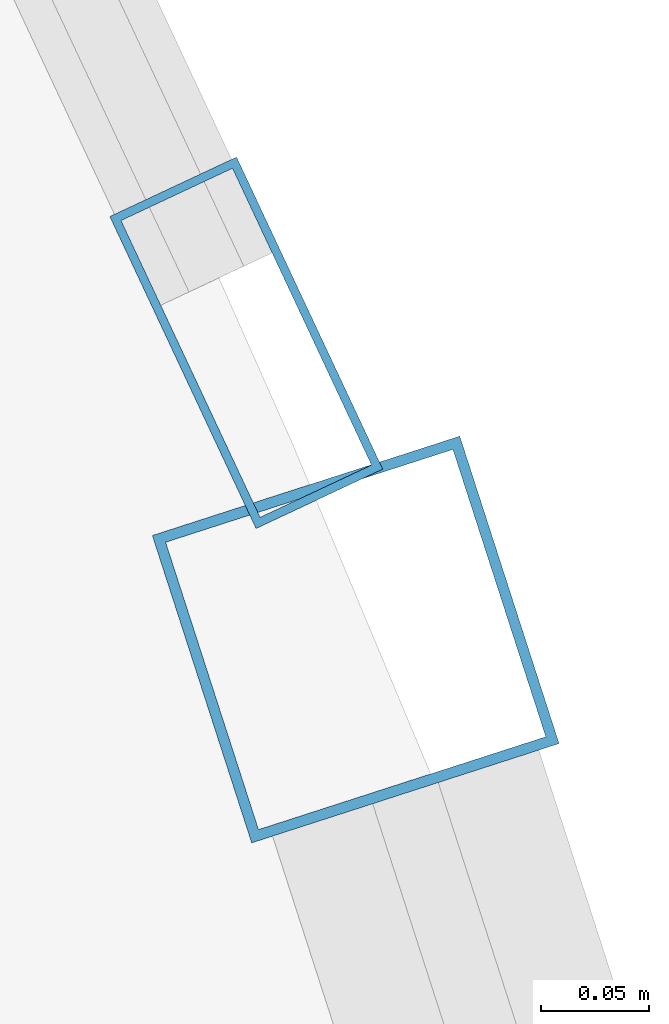
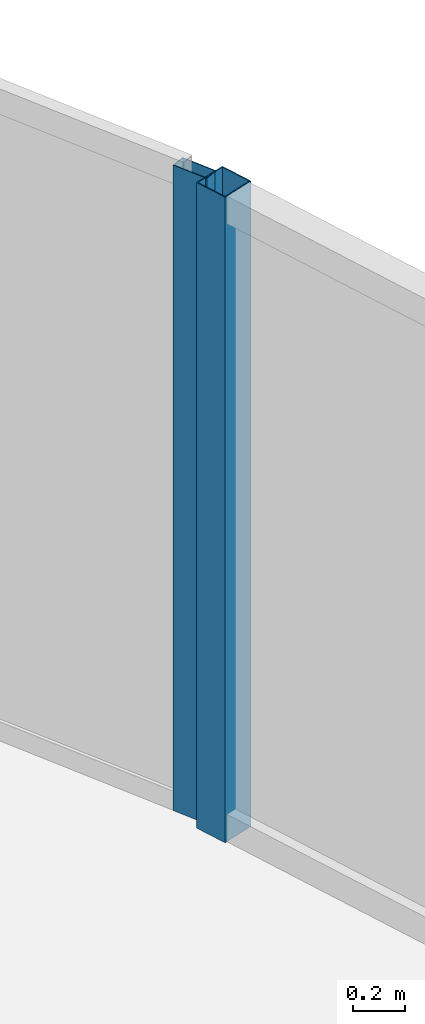
# One storey, part 18 of 33: 2 members, 2 elements without a shape of their own.
"""IFC4 building model written with IfcOpenShell, lengths in metres."""

from ifc_helpers import new_model, si_unit, direction, frame, origin, origin_2d, place, context, subcontext, project, spatial, hollow_rectangle, extrude, material, layer, layer_set, material_profile, profile_set, type_object, element, aggregate, save


model = new_model("IFC4")

# Units and contexts
model_context = context("Model", 3, precision=1e-05, world=origin(), true_north=direction((0.0, 1.0)))
body_context = subcontext(model_context, "Body", "Model", "MODEL_VIEW")
ifc_project = project(units=[si_unit("LENGTHUNIT", "METRE"), si_unit("AREAUNIT", "SQUARE_METRE"), si_unit("VOLUMEUNIT", "CUBIC_METRE"), si_unit("PLANEANGLEUNIT", "RADIAN"), si_unit("MASSUNIT", "GRAM", prefix="KILO")], contexts=[model_context])

# Site, building, storey
site_placement = place(None, origin())
site = spatial("IfcSite", under=ifc_project, at=site_placement, CompositionType="ELEMENT")
building_placement = place(site_placement, origin())
building = spatial("IfcBuilding", under=site, at=building_placement, Name="Orvanel Arch Residences", CompositionType="ELEMENT")
storey_placement = place(building_placement, frame((0.0, 0.0, 212.89990234375)))
storey = spatial("IfcBuildingStorey", under=building, at=storey_placement, Name="L60", CompositionType="ELEMENT", Elevation=212.89990234375)

# Curtain wall, member
ifc_material = material(Name="Bronze-anodised aluminium AA6063-T6", Category="aluminium")
ifc_layer_1 = layer(ifc_material, 0.18994140625)
ifc_layer_set_1 = layer_set([ifc_layer_1], Name="Bronze-anodised aluminium AA6063-T6")
curtain_wall_type_1 = type_object("IfcCurtainWallType", Name="CW5-CRN-SYS", PredefinedType="NOTDEFINED", material=ifc_layer_set_1)
curtain_wall_1_placement = place(storey_placement, origin())
curtain_wall_1 = element("IfcCurtainWall", 1, at=curtain_wall_1_placement, inside=storey, type_object=curtain_wall_type_1, Name="L60 CW5-CRN-SYS Unitised Curtain Wall", PredefinedType="NOTDEFINED")
ifc_material_profile_1 = material_profile(ifc_material, hollow_rectangle(XDim=0.14990234375, YDim=0.14990234375, WallThickness=0.0048828125, at=origin_2d()), Name="ALU150x150x5")
ifc_profile_set_1 = profile_set([ifc_material_profile_1], Name="Bronze-anodised aluminium AA6063-T6")
member_type_1 = type_object("IfcMemberType", Name="MUL-150x150", PredefinedType="MULLION", material=ifc_profile_set_1)
member_1_placement = place(storey_placement, frame((54.301025390625, 15.005615234375, 0.0), z_axis=(0.0, 0.0, 1.0), x_axis=(-0.951553342182, -0.307483718239, 0.0)))
member_1 = element("IfcMember", 2, at=member_1_placement, type_object=member_type_1, Name="CW-S5 mullion 2", PredefinedType="MULLION", context=body_context, shape_type="SweptSolid", body=[
    extrude(hollow_rectangle(XDim=0.14990234375, YDim=0.14990234375, WallThickness=0.0048828125, at=origin_2d()), origin(), (0.0, 0.0, 1.0), 3.06005859375),
])
aggregate(curtain_wall_1, [member_1])

ifc_layer_2 = layer(ifc_material, 0.175048828125)
ifc_layer_set_2 = layer_set([ifc_layer_2], Name="Bronze-anodised aluminium AA6063-T6")
curtain_wall_type_2 = type_object("IfcCurtainWallType", Name="CW4-HI-SYS", PredefinedType="NOTDEFINED", material=ifc_layer_set_2)
curtain_wall_2_placement = place(storey_placement, origin())
curtain_wall_2 = element("IfcCurtainWall", 3, at=curtain_wall_2_placement, inside=storey, type_object=curtain_wall_type_2, Name="L60 CW4-HI-SYS Unitised Curtain Wall", PredefinedType="NOTDEFINED")
ifc_material_profile_2 = material_profile(ifc_material, hollow_rectangle(XDim=0.06494140625, YDim=0.159912109375, WallThickness=0.00390625, at=origin_2d()), Name="ALU160x65x4")
ifc_profile_set_2 = profile_set([ifc_material_profile_2], Name="Bronze-anodised aluminium AA6063-T6")
member_type_2 = type_object("IfcMemberType", Name="MUL-160x65", PredefinedType="MULLION", material=ifc_profile_set_2)
member_2_placement = place(storey_placement, frame((54.250244140625, 15.143310546875, 0.0), z_axis=(0.0, 0.0, 1.0), x_axis=(-0.905502538529, -0.424340844978, 0.0)))
member_2 = element("IfcMember", 4, at=member_2_placement, type_object=member_type_2, Name="CW-S4 mullion 1", PredefinedType="MULLION", context=body_context, shape_type="SweptSolid", body=[
    extrude(hollow_rectangle(XDim=0.06494140625, YDim=0.159912109375, WallThickness=0.00390625, at=origin_2d()), origin(), (0.0, 0.0, 1.0), 3.06005859375),
])
aggregate(curtain_wall_2, [member_2])

save(model, "model.ifc")
